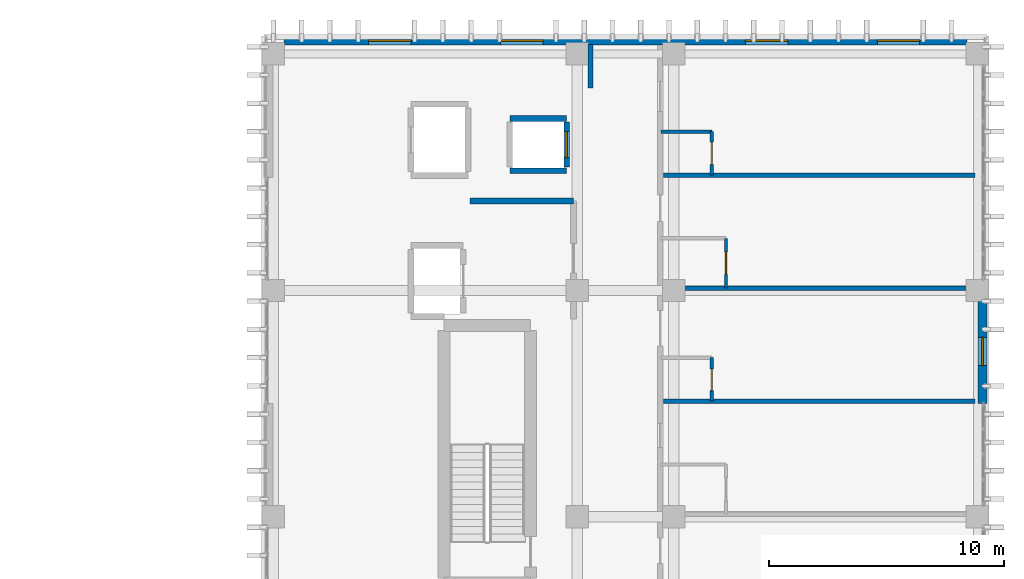
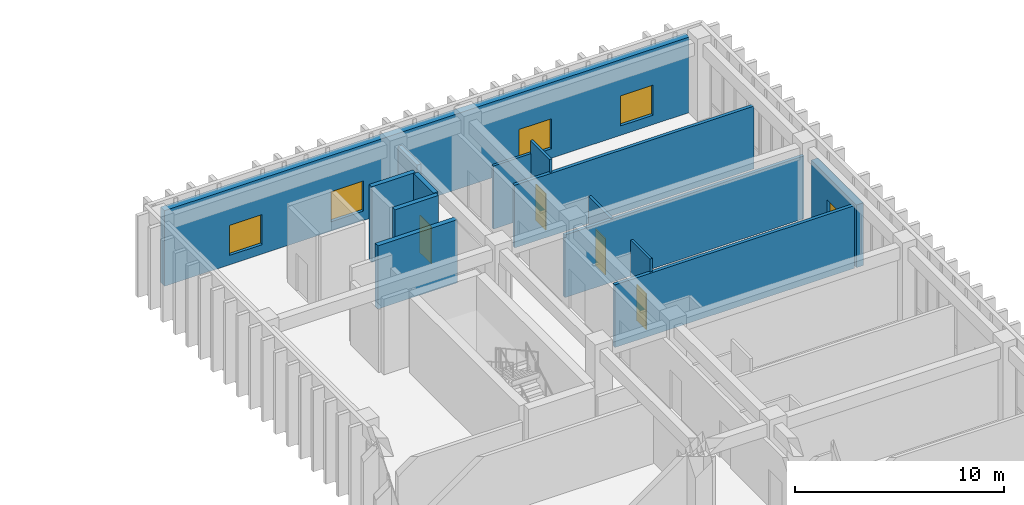
# One storey, part 108 of 133: 14 walls, 5 windows, 4 doors, 9 openings.
"""IFC4 building model written with IfcOpenShell, lengths in metres."""

from ifc_helpers import new_model, si_unit, direction, frame, frame_2d, origin, place, context, subcontext, project, spatial, rectangle, extrude, material, layer, layer_set, type_object, element, fill, save


model = new_model("IFC4")

# Units and contexts
model_context = context("Model", 3, precision=1e-05, world=origin(), true_north=direction((0.0, 1.0)))
body_context = subcontext(model_context, "Body", "Model", "MODEL_VIEW")
ifc_project = project(units=[si_unit("LENGTHUNIT", "METRE"), si_unit("AREAUNIT", "SQUARE_METRE"), si_unit("VOLUMEUNIT", "CUBIC_METRE"), si_unit("PLANEANGLEUNIT", "RADIAN"), si_unit("MASSUNIT", "GRAM", prefix="KILO")], contexts=[model_context])

# Site, building, storey
site_placement = place(None, origin())
site = spatial("IfcSite", under=ifc_project, at=site_placement, CompositionType="ELEMENT")
building_placement = place(site_placement, origin())
building = spatial("IfcBuilding", under=site, at=building_placement, Name="Nakhvara Creek Congress Hotel", CompositionType="ELEMENT")
storey_placement = place(building_placement, frame((0.0, 0.0, 11.39990234375)))
storey = spatial("IfcBuildingStorey", under=building, at=storey_placement, Name="L02", CompositionType="ELEMENT", Elevation=11.39990234375)

# Wall
ifc_material_1 = material(Name="Gypsum acoustic board on steel stud", Category="steel")
ifc_layer_1 = layer(ifc_material_1, 0.219970703125)
ifc_layer_set_1 = layer_set([ifc_layer_1], Name="Gypsum acoustic board on steel stud")
wall_type_1 = type_object("IfcWallType", Name="W-CORR-220", PredefinedType="PARTITIONING", material=ifc_layer_set_1)
wall_1_placement = place(storey_placement, frame((162.919921875, 123.800048828125, 0.0), z_axis=(0.0, 0.0, 1.0), x_axis=(0.0, 1.0, 0.0)))
element("IfcWall", 1, at=wall_1_placement, inside=storey, type_object=wall_type_1, Name="Interior Wall WP11-IW-L02-0121", PredefinedType="PARTITIONING", context=body_context, shape_type="SweptSolid", body=[
    extrude(rectangle(XDim=1.849853515625, YDim=0.219970703125, at=frame_2d((0.9248046875, 0.0))), origin(), (0.0, 0.0, 1.0), 3.662109375),
])

# Wall, opening, door
ifc_material_2 = material(Name="Moisture-resistant gypsum board partition")
ifc_layer_2 = layer(ifc_material_2, 0.139892578125)
ifc_layer_set_2 = layer_set([ifc_layer_2], Name="Moisture-resistant gypsum board partition")
wall_type_2 = type_object("IfcWallType", Name="W-ENS-140", PredefinedType="PARTITIONING", material=ifc_layer_set_2)
wall_2_placement = place(storey_placement, frame((168.070068359375, 110.5, 0.0), z_axis=(0.0, 0.0, 1.0), x_axis=(0.0, 1.0, 0.0)))
wall_2 = element("IfcWall", 2, at=wall_2_placement, inside=storey, type_object=wall_type_2, Name="Interior Wall WP15-IW-L02-0201", PredefinedType="PARTITIONING", context=body_context, shape_type="SweptSolid", body=[
    extrude(rectangle(XDim=1.85009765625, YDim=0.139892578125, at=frame_2d((0.925048828125, 0.0))), origin(), (0.0, 0.0, 1.0), 4.420166015625),
])
opening_1_placement = place(wall_2_placement, frame((0.449951171875, 0.0, 0.0)))
opening_1 = element("IfcOpeningElement", 3, at=opening_1_placement, cuts=wall_2, Name="Opening ID01", PredefinedType="OPENING", context=body_context, shape_type="SweptSolid", body=[
    extrude(rectangle(XDim=0.919921875, YDim=2.10009765625, at=frame_2d((0.4599609375, 1.050048828125))), frame((0.0, 0.08203125, 0.0), z_axis=(0.0, -1.0, 0.0), x_axis=(1.0, 0.0, 0.0)), (0.0, 0.0, 1.0), 0.163818359375),
])
ifc_material_3 = material(Name="Moisture-resistant walnut timber door", Category="wood")
door_type_1 = type_object("IfcDoorType", Name="DT-ENS-092", OperationType="NOTDEFINED", PredefinedType="DOOR", material=ifc_material_3)
door_1_placement = place(opening_1_placement, frame((0.919921875, 0.0, 0.0), z_axis=(0.0, 0.0, 1.0), x_axis=(-1.0, 0.0, 0.0)))
door_1 = element("IfcDoor", 4, at=door_1_placement, inside=storey, type_object=door_type_1, Name="Interior Door ID01-0190", OperationType="SINGLE_SWING_LEFT", OverallHeight=2.10009765625, OverallWidth=0.919921875, PredefinedType="DOOR", context=body_context, shape_type="SweptSolid", body=[
    extrude(rectangle(XDim=0.919921875, YDim=2.10009765625, at=frame_2d((0.4599609375, 1.050048828125))), frame((0.0, 0.02490234375, 0.0), z_axis=(0.0, -1.0, 0.0), x_axis=(1.0, 0.0, 0.0)), (0.0, 0.0, 1.0), 0.050048828125),
])
fill(opening_1, door_1)

wall_3_placement = place(storey_placement, frame((168.669921875, 115.300048828125, 0.0), z_axis=(0.0, 0.0, 1.0), x_axis=(0.0, 1.0, 0.0)))
wall_3 = element("IfcWall", 5, at=wall_3_placement, inside=storey, type_object=wall_type_2, Name="Interior Wall WP15-IW-L02-0204", PredefinedType="PARTITIONING", context=body_context, shape_type="SweptSolid", body=[
    extrude(rectangle(XDim=2.115966796875, YDim=0.139892578125, at=frame_2d((1.05810546875, 0.0))), origin(), (0.0, 0.0, 1.0), 3.692138671875),
])
opening_2_placement = place(wall_3_placement, frame((0.5830078125, 0.0, 0.0)))
opening_2 = element("IfcOpeningElement", 6, at=opening_2_placement, cuts=wall_3, Name="Opening ID02", PredefinedType="OPENING", context=body_context, shape_type="SweptSolid", body=[
    extrude(rectangle(XDim=0.9599609375, YDim=2.1201171875, at=frame_2d((0.47998046875, 1.06005859375))), frame((0.0, 0.08203125, 0.0), z_axis=(0.0, -1.0, 0.0), x_axis=(1.0, 0.0, 0.0)), (0.0, 0.0, 1.0), 0.163818359375),
])
door_type_2 = type_object("IfcDoorType", Name="DT-ENS-096", OperationType="NOTDEFINED", PredefinedType="DOOR", material=ifc_material_3)
door_2_placement = place(opening_2_placement, frame((0.9599609375, 0.0, 0.0), z_axis=(0.0, 0.0, 1.0), x_axis=(-1.0, 0.0, 0.0)))
door_2 = element("IfcDoor", 7, at=door_2_placement, inside=storey, type_object=door_type_2, Name="Interior Door ID02-0192", OperationType="SINGLE_SWING_LEFT", OverallHeight=2.1201171875, OverallWidth=0.9599609375, PredefinedType="DOOR", context=body_context, shape_type="SweptSolid", body=[
    extrude(rectangle(XDim=0.9599609375, YDim=2.1201171875, at=frame_2d((0.47998046875, 1.06005859375))), frame((0.0, 0.02490234375, 0.0), z_axis=(0.0, -1.0, 0.0), x_axis=(1.0, 0.0, 0.0)), (0.0, 0.0, 1.0), 0.050048828125),
])
fill(opening_2, door_2)

wall_4_placement = place(storey_placement, frame((168.070068359375, 120.10009765625, 0.0), z_axis=(0.0, 0.0, 1.0), x_axis=(0.0, 1.0, 0.0)))
wall_4 = element("IfcWall", 8, at=wall_4_placement, inside=storey, type_object=wall_type_2, Name="Interior Wall WP15-IW-L02-0207", PredefinedType="PARTITIONING", context=body_context, shape_type="SweptSolid", body=[
    extrude(rectangle(XDim=1.849853515625, YDim=0.139892578125, at=frame_2d((0.9248046875, 0.0))), origin(), (0.0, 0.0, 1.0), 4.420166015625),
])
opening_3_placement = place(wall_4_placement, frame((0.449951171875, 0.0, 0.0)))
opening_3 = element("IfcOpeningElement", 9, at=opening_3_placement, cuts=wall_4, Name="Opening ID02", PredefinedType="OPENING", context=body_context, shape_type="SweptSolid", body=[
    extrude(rectangle(XDim=0.9599609375, YDim=2.1201171875, at=frame_2d((0.47998046875, 1.06005859375))), frame((0.0, 0.08203125, 0.0), z_axis=(0.0, -1.0, 0.0), x_axis=(1.0, 0.0, 0.0)), (0.0, 0.0, 1.0), 0.163818359375),
])
door_3_placement = place(opening_3_placement, frame((0.9599609375, 0.0, 0.0), z_axis=(0.0, 0.0, 1.0), x_axis=(-1.0, 0.0, 0.0)))
door_3 = element("IfcDoor", 10, at=door_3_placement, inside=storey, type_object=door_type_2, Name="Interior Door ID02-0194", OperationType="SINGLE_SWING_LEFT", OverallHeight=2.1201171875, OverallWidth=0.9599609375, PredefinedType="DOOR", context=body_context, shape_type="SweptSolid", body=[
    extrude(rectangle(XDim=0.9599609375, YDim=2.1201171875, at=frame_2d((0.47998046875, 1.06005859375))), frame((0.0, 0.02490234375, 0.0), z_axis=(0.0, -1.0, 0.0), x_axis=(1.0, 0.0, 0.0)), (0.0, 0.0, 1.0), 0.050048828125),
])
fill(opening_3, door_3)

# Wall
wall_5_placement = place(storey_placement, frame((165.919921875, 121.949951171875, 0.0), z_axis=(0.0, 0.0, 1.0), x_axis=(1.0, 0.0, 0.0)))
element("IfcWall", 11, at=wall_5_placement, inside=storey, type_object=wall_type_2, Name="Interior Wall WP15-IW-L02-0208", PredefinedType="PARTITIONING", context=body_context, shape_type="SweptSolid", body=[
    extrude(rectangle(XDim=2.150146484375, YDim=0.139892578125, at=frame_2d((1.0751953125, 0.0))), origin(), (0.0, 0.0, 1.0), 3.692138671875),
])

# Wall, openings, windows
ifc_material_4 = material(Name="Honed pale Omani limestone cladding", Category="masonry")
ifc_layer_3 = layer(ifc_material_4, 0.050048828125)
ifc_material_5 = material(Name="Mineral wool thermal insulation")
ifc_layer_4 = layer(ifc_material_5, 0.110107421875)
ifc_material_6 = material(Name="Precast concrete C40/50", Category="concrete")
ifc_layer_5 = layer(ifc_material_6, 0.219970703125)
ifc_layer_set_3 = layer_set([ifc_layer_3, ifc_layer_4, ifc_layer_5], Name="Precast concrete C40/50")
wall_type_3 = type_object("IfcWallType", Name="W-EXT-380", PredefinedType="SOLIDWALL", material=ifc_layer_set_3)
wall_6_placement = place(storey_placement, frame((149.89990234375, 125.81005859375, 0.0), z_axis=(0.0, 0.0, 1.0), x_axis=(1.0, 0.0, 0.0)))
wall_6 = element("IfcWall", 12, at=wall_6_placement, inside=storey, type_object=wall_type_3, Name="Exterior Wall WE03-EW-L02-0107", PredefinedType="SOLIDWALL", context=body_context, shape_type="SweptSolid", body=[
    extrude(rectangle(XDim=29.0, YDim=0.3798828125, at=frame_2d((14.5, 0.0))), origin(), (0.0, 0.0, 1.0), 4.420166015625),
])
opening_4_placement = place(wall_6_placement, frame((3.60009765625, 0.0, 0.550048828125)))
opening_4 = element("IfcOpeningElement", 13, at=opening_4_placement, cuts=wall_6, Name="Opening WN0113", PredefinedType="OPENING", context=body_context, shape_type="SweptSolid", body=[
    extrude(rectangle(XDim=1.800048828125, YDim=1.760009765625, at=frame_2d((0.89990234375, 0.8798828125))), frame((0.0, 0.201904296875, 0.0), z_axis=(0.0, -1.0, 0.0), x_axis=(1.0, 0.0, 0.0)), (0.0, 0.0, 1.0), 0.40380859375),
])
opening_5_placement = place(wall_6_placement, frame((9.199951171875, 0.0, 0.550048828125)))
opening_5 = element("IfcOpeningElement", 14, at=opening_5_placement, cuts=wall_6, Name="Opening WN0114", PredefinedType="OPENING", context=body_context, shape_type="SweptSolid", body=[
    extrude(rectangle(XDim=1.800048828125, YDim=1.760009765625, at=frame_2d((0.89990234375, 0.8798828125))), frame((0.0, 0.201904296875, 0.0), z_axis=(0.0, -1.0, 0.0), x_axis=(1.0, 0.0, 0.0)), (0.0, 0.0, 1.0), 0.40380859375),
])
opening_6_placement = place(wall_6_placement, frame((19.60009765625, 0.0, 0.550048828125)))
opening_6 = element("IfcOpeningElement", 15, at=opening_6_placement, cuts=wall_6, Name="Opening WN0115", PredefinedType="OPENING", context=body_context, shape_type="SweptSolid", body=[
    extrude(rectangle(XDim=1.800048828125, YDim=1.760009765625, at=frame_2d((0.89990234375, 0.8798828125))), frame((0.0, 0.201904296875, 0.0), z_axis=(0.0, -1.0, 0.0), x_axis=(1.0, 0.0, 0.0)), (0.0, 0.0, 1.0), 0.40380859375),
])
opening_7_placement = place(wall_6_placement, frame((25.199951171875, 0.0, 0.550048828125)))
opening_7 = element("IfcOpeningElement", 16, at=opening_7_placement, cuts=wall_6, Name="Opening WN0116", PredefinedType="OPENING", context=body_context, shape_type="SweptSolid", body=[
    extrude(rectangle(XDim=1.800048828125, YDim=1.760009765625, at=frame_2d((0.89990234375, 0.8798828125))), frame((0.0, 0.201904296875, 0.0), z_axis=(0.0, -1.0, 0.0), x_axis=(1.0, 0.0, 0.0)), (0.0, 0.0, 1.0), 0.40380859375),
])
ifc_material_7 = material(Name="Thermally broken bronze-anodised aluminium and double-silver low-E insulated glass", Category="aluminium")
window_type_1 = type_object("IfcWindowType", Name="WN-LAN-180X225", PartitioningType="SINGLE_PANEL", PredefinedType="WINDOW", material=ifc_material_7)
window_1_placement = place(opening_4_placement, origin())
window_1 = element("IfcWindow", 17, at=window_1_placement, inside=storey, type_object=window_type_1, Name="Facade Window WN0113", OverallHeight=1.760009765625, OverallWidth=1.800048828125, PartitioningType="SINGLE_PANEL", PredefinedType="WINDOW", context=body_context, shape_type="SweptSolid", body=[
    extrude(rectangle(XDim=1.800048828125, YDim=1.760009765625, at=frame_2d((0.89990234375, 0.8798828125))), frame((0.0, 0.030029296875, 0.0), z_axis=(0.0, -1.0, 0.0), x_axis=(1.0, 0.0, 0.0)), (0.0, 0.0, 1.0), 0.06005859375),
])
fill(opening_4, window_1)
window_2_placement = place(opening_5_placement, origin())
window_2 = element("IfcWindow", 18, at=window_2_placement, inside=storey, type_object=window_type_1, Name="Facade Window WN0114", OverallHeight=1.760009765625, OverallWidth=1.800048828125, PartitioningType="SINGLE_PANEL", PredefinedType="WINDOW", context=body_context, shape_type="SweptSolid", body=[
    extrude(rectangle(XDim=1.800048828125, YDim=1.760009765625, at=frame_2d((0.89990234375, 0.8798828125))), frame((0.0, 0.030029296875, 0.0), z_axis=(0.0, -1.0, 0.0), x_axis=(1.0, 0.0, 0.0)), (0.0, 0.0, 1.0), 0.06005859375),
])
fill(opening_5, window_2)
window_3_placement = place(opening_6_placement, origin())
window_3 = element("IfcWindow", 19, at=window_3_placement, inside=storey, type_object=window_type_1, Name="Facade Window WN0115", OverallHeight=1.760009765625, OverallWidth=1.800048828125, PartitioningType="SINGLE_PANEL", PredefinedType="WINDOW", context=body_context, shape_type="SweptSolid", body=[
    extrude(rectangle(XDim=1.800048828125, YDim=1.760009765625, at=frame_2d((0.89990234375, 0.8798828125))), frame((0.0, 0.030029296875, 0.0), z_axis=(0.0, -1.0, 0.0), x_axis=(1.0, 0.0, 0.0)), (0.0, 0.0, 1.0), 0.06005859375),
])
fill(opening_6, window_3)
window_4_placement = place(opening_7_placement, origin())
window_4 = element("IfcWindow", 20, at=window_4_placement, inside=storey, type_object=window_type_1, Name="Facade Window WN0116", OverallHeight=1.760009765625, OverallWidth=1.800048828125, PartitioningType="SINGLE_PANEL", PredefinedType="WINDOW", context=body_context, shape_type="SweptSolid", body=[
    extrude(rectangle(XDim=1.800048828125, YDim=1.760009765625, at=frame_2d((0.89990234375, 0.8798828125))), frame((0.0, 0.030029296875, 0.0), z_axis=(0.0, -1.0, 0.0), x_axis=(1.0, 0.0, 0.0)), (0.0, 0.0, 1.0), 0.06005859375),
])
fill(opening_7, window_4)

# Wall, opening, window
wall_7_placement = place(storey_placement, frame((179.56005859375, 114.75, 0.0), z_axis=(0.0, 0.0, 1.0), x_axis=(0.0, -1.0, 0.0)))
wall_7 = element("IfcWall", 21, at=wall_7_placement, inside=storey, type_object=wall_type_3, Name="Exterior Wall WE03-EW-L02-0117", PredefinedType="SOLIDWALL", context=body_context, shape_type="SweptSolid", body=[
    extrude(rectangle(XDim=4.35009765625, YDim=0.3798828125, at=frame_2d((2.175048828125, 0.0))), origin(), (0.0, 0.0, 1.0), 3.662109375),
])
opening_8_placement = place(wall_7_placement, frame((1.5400390625, 0.0, 0.550048828125)))
opening_8 = element("IfcOpeningElement", 22, at=opening_8_placement, cuts=wall_7, Name="Opening WN0125", PredefinedType="OPENING", context=body_context, shape_type="SweptSolid", body=[
    extrude(rectangle(XDim=1.199951171875, YDim=1.719970703125, at=frame_2d((0.60009765625, 0.85986328125))), frame((0.0, 0.201904296875, 0.0), z_axis=(0.0, -1.0, 0.0), x_axis=(1.0, 0.0, 0.0)), (0.0, 0.0, 1.0), 0.40380859375),
])
window_type_2 = type_object("IfcWindowType", Name="WN-LAN-120X220", PartitioningType="SINGLE_PANEL", PredefinedType="WINDOW", material=ifc_material_7)
window_5_placement = place(opening_8_placement, origin())
window_5 = element("IfcWindow", 23, at=window_5_placement, inside=storey, type_object=window_type_2, Name="Facade Window WN0125", OverallHeight=1.719970703125, OverallWidth=1.199951171875, PartitioningType="SINGLE_PANEL", PredefinedType="WINDOW", context=body_context, shape_type="SweptSolid", body=[
    extrude(rectangle(XDim=1.199951171875, YDim=1.719970703125, at=frame_2d((0.60009765625, 0.85986328125))), frame((0.0, 0.030029296875, 0.0), z_axis=(0.0, -1.0, 0.0), x_axis=(1.0, 0.0, 0.0)), (0.0, 0.0, 1.0), 0.06005859375),
])
fill(opening_8, window_5)

# Walls
ifc_material_8 = material(Name="Concrete C40/50", Category="concrete")
ifc_layer_6 = layer(ifc_material_8, 0.260009765625)
ifc_layer_set_4 = layer_set([ifc_layer_6], Name="Concrete C40/50")
wall_type_4 = type_object("IfcWallType", Name="W-FFL-260", PredefinedType="SOLIDWALL", material=ifc_layer_set_4)
wall_8_placement = place(storey_placement, frame((157.800048828125, 119.0, 0.0), z_axis=(0.0, 0.0, 1.0), x_axis=(1.0, 0.0, 0.0)))
element("IfcWall", 24, at=wall_8_placement, inside=storey, type_object=wall_type_4, Name="Core Shear Wall WI03-CWALL-L02-0357", PredefinedType="SOLIDWALL", context=body_context, shape_type="SweptSolid", body=[
    extrude(rectangle(XDim=4.39990234375, YDim=0.260009765625, at=frame_2d((2.199951171875, 0.0))), origin(), (0.0, 0.0, 1.0), 3.692138671875),
])
ifc_layer_7 = layer(ifc_material_1, 0.179931640625)
ifc_layer_set_5 = layer_set([ifc_layer_7], Name="Gypsum acoustic board on steel stud")
wall_type_5 = type_object("IfcWallType", Name="W-MEET-180", PredefinedType="PARTITIONING", material=ifc_layer_set_5)
for number, where, z_axis, x_axis, name in (
    (25, (166.02001953125, 110.5, 0.0), (0.0, 0.0, 1.0), (1.0, 0.0, 0.0), "Interior Wall WP13-IW-L02-0200"),
    (26, (166.02001953125, 115.300048828125, 0.0), (0.0, 0.0, 1.0), (1.0, 0.0, 0.0), "Interior Wall WP13-IW-L02-0203"),
    (27, (166.02001953125, 120.10009765625, 0.0), (0.0, 0.0, 1.0), (1.0, 0.0, 0.0), "Interior Wall WP13-IW-L02-0206"),
):
    element("IfcWall", number, at=place(storey_placement, frame(where, z_axis=z_axis, x_axis=x_axis)), inside=storey, type_object=wall_type_5, Name=name, PredefinedType="PARTITIONING", context=body_context, shape_type="SweptSolid", body=[
        extrude(rectangle(XDim=13.22998046875, YDim=0.179931640625, at=frame_2d((6.614990234375, 0.0))), origin(), (0.0, 0.0, 1.0), 3.662109375),
    ])
ifc_layer_8 = layer(ifc_material_8, 0.25)
ifc_layer_set_6 = layer_set([ifc_layer_8], Name="Concrete C40/50")
wall_type_6 = type_object("IfcWallType", Name="W-SHAFT-250", PredefinedType="SOLIDWALL", material=ifc_layer_set_6)
for number, where, z_axis, x_axis, name in (
    (28, (159.489990234375, 120.2900390625, 0.0), (0.0, 0.0, 1.0), (1.0, 0.0, 0.0), "Core Shear Wall WI02-CWALL-L02-0348"),
    (29, (159.489990234375, 122.510009765625, 0.0), (0.0, 0.0, 1.0), (1.0, 0.0, 0.0), "Core Shear Wall WI02-CWALL-L02-0349"),
):
    element("IfcWall", number, at=place(storey_placement, frame(where, z_axis=z_axis, x_axis=x_axis)), inside=storey, type_object=wall_type_6, Name=name, PredefinedType="SOLIDWALL", context=body_context, shape_type="SweptSolid", body=[
        extrude(rectangle(XDim=2.419921875, YDim=0.25, at=frame_2d((1.2099609375, 0.0))), origin(), (0.0, 0.0, 1.0), 4.420166015625),
    ])

# Wall, opening, door
wall_9_placement = place(storey_placement, frame((161.909912109375, 120.449951171875, 0.0), z_axis=(0.0, 0.0, 1.0), x_axis=(0.0, 1.0, 0.0)))
wall_9 = element("IfcWall", 30, at=wall_9_placement, inside=storey, type_object=wall_type_6, Name="Core Shear Wall WI02-CWALL-L02-0351", PredefinedType="SOLIDWALL", context=body_context, shape_type="SweptSolid", body=[
    extrude(rectangle(XDim=1.900146484375, YDim=0.25, at=frame_2d((0.9501953125, 0.0))), origin(), (0.0, 0.0, 1.0), 4.420166015625),
])
opening_9_placement = place(wall_9_placement, frame((0.39990234375, 0.0, 0.0)))
opening_9 = element("IfcOpeningElement", 31, at=opening_9_placement, cuts=wall_9, Name="Opening LD01", PredefinedType="OPENING", context=body_context, shape_type="SweptSolid", body=[
    extrude(rectangle(XDim=1.10009765625, YDim=2.199951171875, at=frame_2d((0.550048828125, 1.10009765625))), frame((0.0, 0.136962890625, 0.0), z_axis=(0.0, -1.0, 0.0), x_axis=(1.0, 0.0, 0.0)), (0.0, 0.0, 1.0), 0.27392578125),
])
ifc_material_9 = material(Name="Brushed stainless steel sliding landing door", Category="steel")
door_type_3 = type_object("IfcDoorType", Name="DT-LIFT-110", OperationType="DOUBLE_DOOR_SLIDING", PredefinedType="DOOR", material=ifc_material_9)
door_4_placement = place(opening_9_placement, origin())
door_4 = element("IfcDoor", 32, at=door_4_placement, inside=storey, type_object=door_type_3, Name="Landing Door PL01-L02", OperationType="SLIDING_TO_LEFT", OverallHeight=2.199951171875, OverallWidth=1.10009765625, PredefinedType="DOOR", context=body_context, shape_type="SweptSolid", body=[
    extrude(rectangle(XDim=1.10009765625, YDim=2.199951171875, at=frame_2d((0.550048828125, 1.10009765625))), frame((0.0, 0.02490234375, 0.0), z_axis=(0.0, -1.0, 0.0), x_axis=(1.0, 0.0, 0.0)), (0.0, 0.0, 1.0), 0.050048828125),
])
fill(opening_9, door_4)

save(model, "model.ifc")
